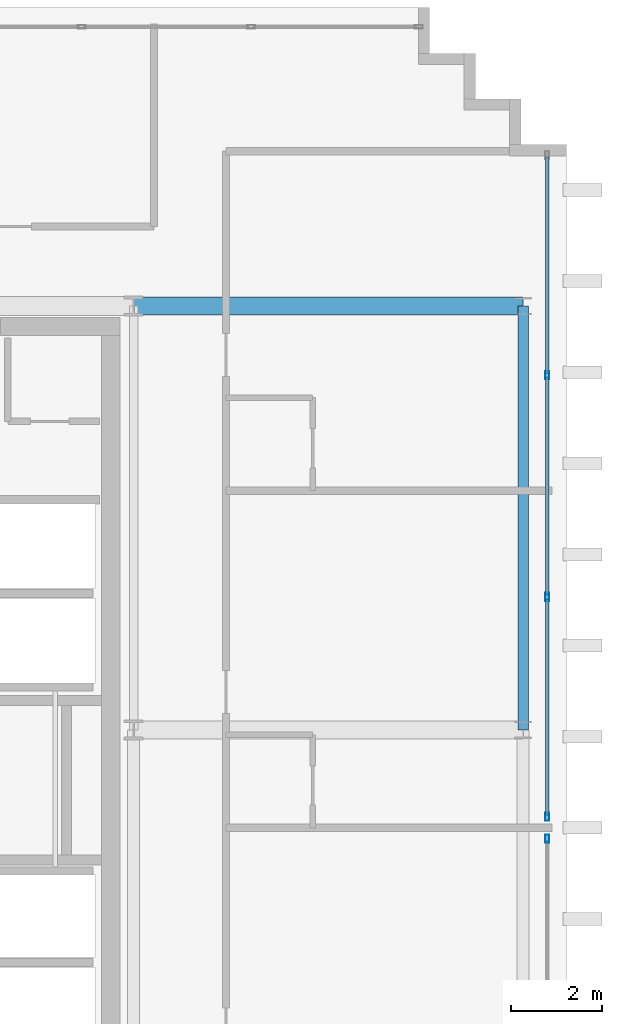
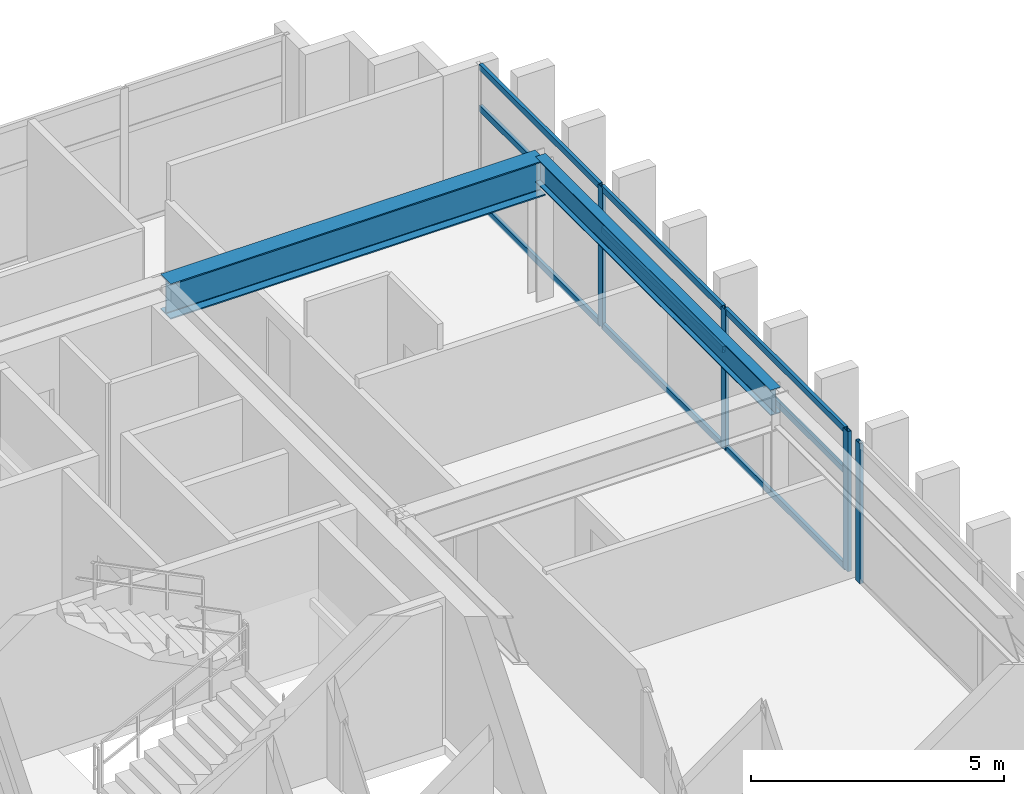
# One storey, part 8 of 15: 13 members, 2 beams, 2 elements without a shape of their own.
"""IFC4 building model written with IfcOpenShell, lengths in metres."""

from ifc_helpers import new_model, si_unit, direction, frame, origin, origin_2d, place, context, subcontext, project, spatial, hollow_rectangle, i_section, extrude, source, transform, mapped, material, layer, layer_set, material_profile, profile_set, type_object, element, aggregate, save


model = new_model("IFC4")

# Units and contexts
model_context = context("Model", 3, precision=1e-05, world=origin(), true_north=direction((0.0, 1.0)))
body_context = subcontext(model_context, "Body", "Model", "MODEL_VIEW")
ifc_project = project(units=[si_unit("LENGTHUNIT", "METRE"), si_unit("AREAUNIT", "SQUARE_METRE"), si_unit("VOLUMEUNIT", "CUBIC_METRE"), si_unit("PLANEANGLEUNIT", "RADIAN"), si_unit("MASSUNIT", "GRAM", prefix="KILO")], contexts=[model_context])

# Site, building, storey
site_placement = place(None, origin())
site = spatial("IfcSite", under=ifc_project, at=site_placement, CompositionType="ELEMENT")
building_placement = place(site_placement, origin())
building = spatial("IfcBuilding", under=site, at=building_placement, Name="Ocotamira Hotel", CompositionType="ELEMENT")
storey_placement = place(building_placement, frame((0.0, 0.0, 286.800048828125)))
storey = spatial("IfcBuildingStorey", under=building, at=storey_placement, Name="L73", CompositionType="ELEMENT", Elevation=286.800048828125)

# Beams
ifc_material_1 = material(Name="Steel ASTM A992 Grade 50", Category="steel")
ifc_material_profile_1 = material_profile(ifc_material_1, i_section(OverallWidth=0.22998046875, OverallDepth=0.616943359375, WebThickness=0.01318359375, FlangeThickness=0.022216796875, FilletRadius=0.012939453125, at=origin_2d()), Name="W24X94")
ifc_profile_set_1 = profile_set([ifc_material_profile_1], Name="Steel ASTM A992 Grade 50")
beam_type_1 = type_object("IfcBeamType", Name="BM-PRIM-W24X94", PredefinedType="BEAM", material=ifc_profile_set_1)
shared_shape_1 = source(origin(), body_context, "Body", "SweptSolid", [
    extrude(i_section(OverallWidth=0.22998046875, OverallDepth=0.616943359375, WebThickness=0.01318359375, FlangeThickness=0.022216796875, FilletRadius=0.012939453125, at=origin_2d()), origin(), (0.0, 0.0, 1.0), 9.300048828125),
])
beam_1_placement = place(storey_placement, frame((32.050048828125, 28.14990234375, 3.071533203125), z_axis=(0.0, 1.0, 0.0), x_axis=(-1.0, 0.0, 0.0)))
element("IfcBeam", 1, at=beam_1_placement, inside=storey, type_object=beam_type_1, Name="L73 Beam X32.05 Y28.15-37.45", PredefinedType="BEAM", context=body_context, shape_type="MappedRepresentation", body=[
    mapped(shared_shape_1, transform((0.0, 0.0, 0.0), scale=1.0)),
])
ifc_material_profile_2 = material_profile(ifc_material_1, i_section(OverallWidth=0.39990234375, OverallDepth=0.85595703125, WebThickness=0.018310546875, FlangeThickness=0.029296875, FilletRadius=0.02001953125, at=origin_2d()), Name="W33X201")
ifc_profile_set_2 = profile_set([ifc_material_profile_2], Name="Steel ASTM A992 Grade 50")
beam_type_2 = type_object("IfcBeamType", Name="BM-GIRD-W33X201", PredefinedType="BEAM", material=ifc_profile_set_2)
shared_shape_2 = source(origin(), body_context, "Body", "SweptSolid", [
    extrude(i_section(OverallWidth=0.39990234375, OverallDepth=0.85595703125, WebThickness=0.018310546875, FlangeThickness=0.029296875, FilletRadius=0.02001953125, at=origin_2d()), origin(), (0.0, 0.0, 1.0), 8.550048828125),
])
beam_2_placement = place(storey_placement, frame((23.5, 37.449951171875, 2.951904296875), z_axis=(1.0, 0.0, 0.0), x_axis=(0.0, 1.0, 0.0)))
element("IfcBeam", 2, at=beam_2_placement, inside=storey, type_object=beam_type_2, Name="L73 Girder Y37.45 X23.5-32.05", PredefinedType="BEAM", context=body_context, shape_type="MappedRepresentation", body=[
    mapped(shared_shape_2, transform((0.0, 0.0, 0.0), scale=1.0)),
])

# Curtain wall, member
ifc_material_2 = material(Name="Anodised pale-metal aluminium and solar glass", Category="aluminium")
ifc_layer = layer(ifc_material_2, 0.2099609375)
ifc_layer_set = layer_set([ifc_layer], Name="Anodised pale-metal aluminium and solar glass")
curtain_wall_type = type_object("IfcCurtainWallType", Name="CW-SYS7-PEAK", PredefinedType="NOTDEFINED", material=ifc_layer_set)
curtain_wall_1_placement = place(storey_placement, origin())
curtain_wall_1 = element("IfcCurtainWall", 3, at=curtain_wall_1_placement, inside=storey, type_object=curtain_wall_type, Name="L73 Curtain Wall CW-7 CW-L73-E1", PredefinedType="NOTDEFINED")
ifc_material_3 = material(Name="Anodised pale-metal aluminium 6063-T6", Category="aluminium")
ifc_material_profile_3 = material_profile(ifc_material_3, hollow_rectangle(XDim=0.080078125, YDim=0.179931640625, WallThickness=0.006103515625, at=origin_2d()), Name="HSS180X80X6")
ifc_profile_set_3 = profile_set([ifc_material_profile_3], Name="Anodised pale-metal aluminium 6063-T6")
member_type_1 = type_object("IfcMemberType", Name="CWM-180X75", PredefinedType="MULLION", material=ifc_profile_set_3)
shared_shape_3 = source(origin(), body_context, "Body", "SweptSolid", [
    extrude(hollow_rectangle(XDim=0.080078125, YDim=0.179931640625, WallThickness=0.006103515625, at=origin_2d()), origin(), (0.0, 0.0, 1.0), 3.3798828125),
])
member_1_placement = place(storey_placement, frame((32.580078125, 25.760009765625, 0.0), z_axis=(0.0, 0.0, 1.0), x_axis=(-1.0, 0.0, 0.0)))
member_1 = element("IfcMember", 4, at=member_1_placement, type_object=member_type_1, Name="CW-7 mullion 4", PredefinedType="MULLION", context=body_context, shape_type="MappedRepresentation", body=[
    mapped(shared_shape_3, transform((0.0, 0.0, 0.0), scale=1.0)),
])
aggregate(curtain_wall_1, [member_1])

# Curtain wall, members
curtain_wall_2_placement = place(storey_placement, origin())
curtain_wall_2 = element("IfcCurtainWall", 5, at=curtain_wall_2_placement, inside=storey, type_object=curtain_wall_type, Name="L73 Curtain Wall CW-7 CW-L73-E2", PredefinedType="NOTDEFINED")
member_2_placement = place(storey_placement, frame((32.580078125, 26.239990234375, 0.0), z_axis=(0.0, 0.0, 1.0), x_axis=(-1.0, 0.0, 0.0)))
member_2 = element("IfcMember", 6, at=member_2_placement, type_object=member_type_1, Name="CW-7 mullion 1", PredefinedType="MULLION", context=body_context, shape_type="MappedRepresentation", body=[
    mapped(shared_shape_3, transform((0.0, 0.0, 0.0), scale=1.0)),
])
member_3_placement = place(storey_placement, frame((32.580078125, 31.066650390625, 0.0), z_axis=(0.0, 0.0, 1.0), x_axis=(-1.0, 0.0, 0.0)))
member_3 = element("IfcMember", 7, at=member_3_placement, type_object=member_type_1, Name="CW-7 mullion 2", PredefinedType="MULLION", context=body_context, shape_type="MappedRepresentation", body=[
    mapped(shared_shape_3, transform((0.0, 0.0, 0.0), scale=1.0)),
])
member_4_placement = place(storey_placement, frame((32.580078125, 35.933349609375, 0.0), z_axis=(0.0, 0.0, 1.0), x_axis=(-1.0, 0.0, 0.0)))
member_4 = element("IfcMember", 8, at=member_4_placement, type_object=member_type_1, Name="CW-7 mullion 3", PredefinedType="MULLION", context=body_context, shape_type="MappedRepresentation", body=[
    mapped(shared_shape_3, transform((0.0, 0.0, 0.0), scale=1.0)),
])
ifc_material_profile_4 = material_profile(ifc_material_3, hollow_rectangle(XDim=0.074951171875, YDim=0.14990234375, WallThickness=0.006103515625, at=origin_2d()), Name="HSS150X75X6")
ifc_profile_set_4 = profile_set([ifc_material_profile_4], Name="Anodised pale-metal aluminium 6063-T6")
member_type_2 = type_object("IfcMemberType", Name="CWT-150X75", PredefinedType="USERDEFINED", material=ifc_profile_set_4)
shared_shape_4 = source(origin(), body_context, "Body", "SweptSolid", [
    extrude(hollow_rectangle(XDim=0.074951171875, YDim=0.14990234375, WallThickness=0.006103515625, at=origin_2d()), origin(), (0.0, 0.0, 1.0), 4.74658203125),
])
member_5_placement = place(storey_placement, frame((32.580078125, 26.280029296875, 0.037353515625), z_axis=(0.0, 1.0, 0.0), x_axis=(-1.0, 0.0, 0.0)))
member_5 = element("IfcMember", 9, at=member_5_placement, type_object=member_type_2, Name="CW-7 transom 1.1", ObjectType="TRANSOM", PredefinedType="USERDEFINED", context=body_context, shape_type="MappedRepresentation", body=[
    mapped(shared_shape_4, transform((0.0, 0.0, 0.0), scale=1.0)),
])
member_6_placement = place(storey_placement, frame((32.580078125, 26.280029296875, 2.349853515625), z_axis=(0.0, 1.0, 0.0), x_axis=(-1.0, 0.0, 0.0)))
member_6 = element("IfcMember", 10, at=member_6_placement, type_object=member_type_2, Name="CW-7 transom 1.2", ObjectType="TRANSOM", PredefinedType="USERDEFINED", context=body_context, shape_type="MappedRepresentation", body=[
    mapped(shared_shape_4, transform((0.0, 0.0, 0.0), scale=1.0)),
])
member_7_placement = place(storey_placement, frame((32.580078125, 26.280029296875, 3.342529296875), z_axis=(0.0, 1.0, 0.0), x_axis=(-1.0, 0.0, 0.0)))
member_7 = element("IfcMember", 11, at=member_7_placement, type_object=member_type_2, Name="CW-7 transom 1.3", ObjectType="TRANSOM", PredefinedType="USERDEFINED", context=body_context, shape_type="MappedRepresentation", body=[
    mapped(shared_shape_4, transform((0.0, 0.0, 0.0), scale=1.0)),
])
member_8_placement = place(storey_placement, frame((32.580078125, 35.973388671875, 0.037353515625), z_axis=(0.0, 1.0, 0.0), x_axis=(-1.0, 0.0, 0.0)))
member_8 = element("IfcMember", 12, at=member_8_placement, type_object=member_type_2, Name="CW-7 transom 3.1", ObjectType="TRANSOM", PredefinedType="USERDEFINED", context=body_context, shape_type="MappedRepresentation", body=[
    mapped(shared_shape_4, transform((0.0, 0.0, 0.0), scale=1.0)),
])
member_9_placement = place(storey_placement, frame((32.580078125, 35.973388671875, 2.349853515625), z_axis=(0.0, 1.0, 0.0), x_axis=(-1.0, 0.0, 0.0)))
member_9 = element("IfcMember", 13, at=member_9_placement, type_object=member_type_2, Name="CW-7 transom 3.2", ObjectType="TRANSOM", PredefinedType="USERDEFINED", context=body_context, shape_type="MappedRepresentation", body=[
    mapped(shared_shape_4, transform((0.0, 0.0, 0.0), scale=1.0)),
])
member_10_placement = place(storey_placement, frame((32.580078125, 35.973388671875, 3.342529296875), z_axis=(0.0, 1.0, 0.0), x_axis=(-1.0, 0.0, 0.0)))
member_10 = element("IfcMember", 14, at=member_10_placement, type_object=member_type_2, Name="CW-7 transom 3.3", ObjectType="TRANSOM", PredefinedType="USERDEFINED", context=body_context, shape_type="MappedRepresentation", body=[
    mapped(shared_shape_4, transform((0.0, 0.0, 0.0), scale=1.0)),
])
shared_shape_5 = source(origin(), body_context, "Body", "SweptSolid", [
    extrude(hollow_rectangle(XDim=0.074951171875, YDim=0.14990234375, WallThickness=0.006103515625, at=origin_2d()), origin(), (0.0, 0.0, 1.0), 4.78662109375),
])
member_11_placement = place(storey_placement, frame((32.580078125, 31.106689453125, 0.037353515625), z_axis=(0.0, 1.0, 0.0), x_axis=(-1.0, 0.0, 0.0)))
member_11 = element("IfcMember", 15, at=member_11_placement, type_object=member_type_2, Name="CW-7 transom 2.1", ObjectType="TRANSOM", PredefinedType="USERDEFINED", context=body_context, shape_type="MappedRepresentation", body=[
    mapped(shared_shape_5, transform((0.0, 0.0, 0.0), scale=1.0)),
])
member_12_placement = place(storey_placement, frame((32.580078125, 31.106689453125, 2.349853515625), z_axis=(0.0, 1.0, 0.0), x_axis=(-1.0, 0.0, 0.0)))
member_12 = element("IfcMember", 16, at=member_12_placement, type_object=member_type_2, Name="CW-7 transom 2.2", ObjectType="TRANSOM", PredefinedType="USERDEFINED", context=body_context, shape_type="MappedRepresentation", body=[
    mapped(shared_shape_5, transform((0.0, 0.0, 0.0), scale=1.0)),
])
member_13_placement = place(storey_placement, frame((32.580078125, 31.106689453125, 3.342529296875), z_axis=(0.0, 1.0, 0.0), x_axis=(-1.0, 0.0, 0.0)))
member_13 = element("IfcMember", 17, at=member_13_placement, type_object=member_type_2, Name="CW-7 transom 2.3", ObjectType="TRANSOM", PredefinedType="USERDEFINED", context=body_context, shape_type="MappedRepresentation", body=[
    mapped(shared_shape_5, transform((0.0, 0.0, 0.0), scale=1.0)),
])
aggregate(curtain_wall_2, [member_2, member_3, member_4, member_5, member_6, member_7, member_11, member_12, member_13, member_8, member_9, member_10])

save(model, "model.ifc")
